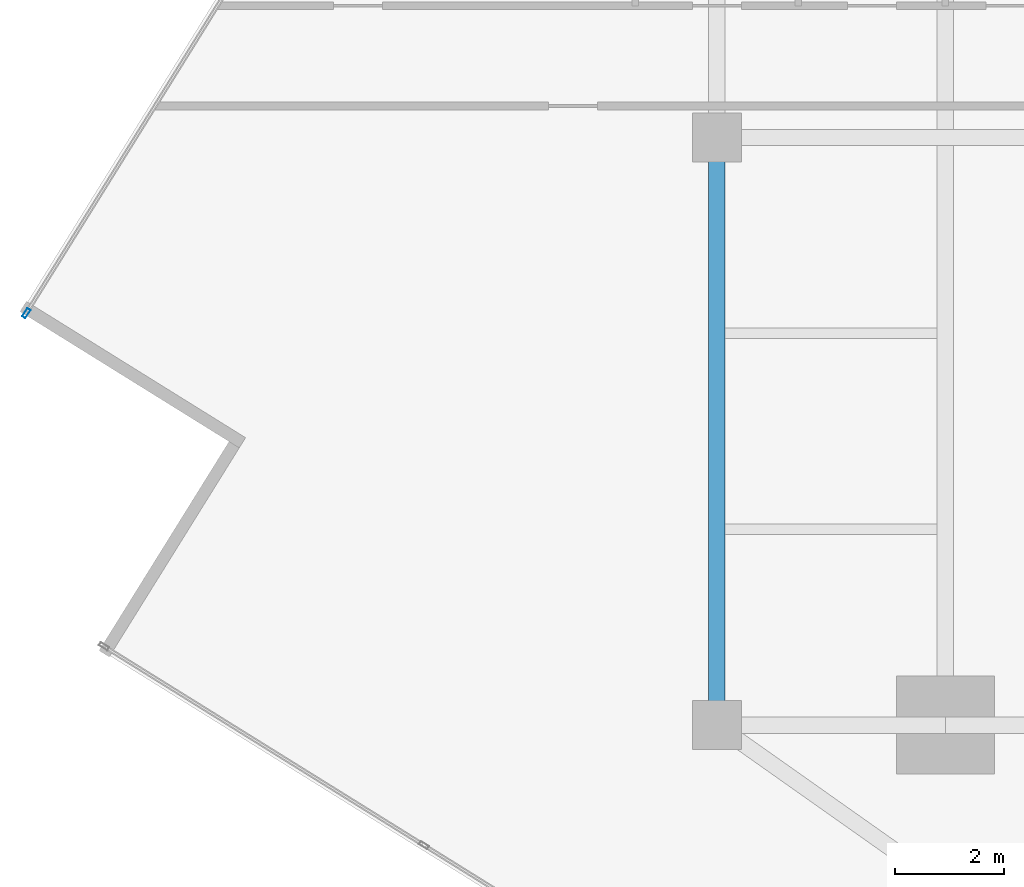
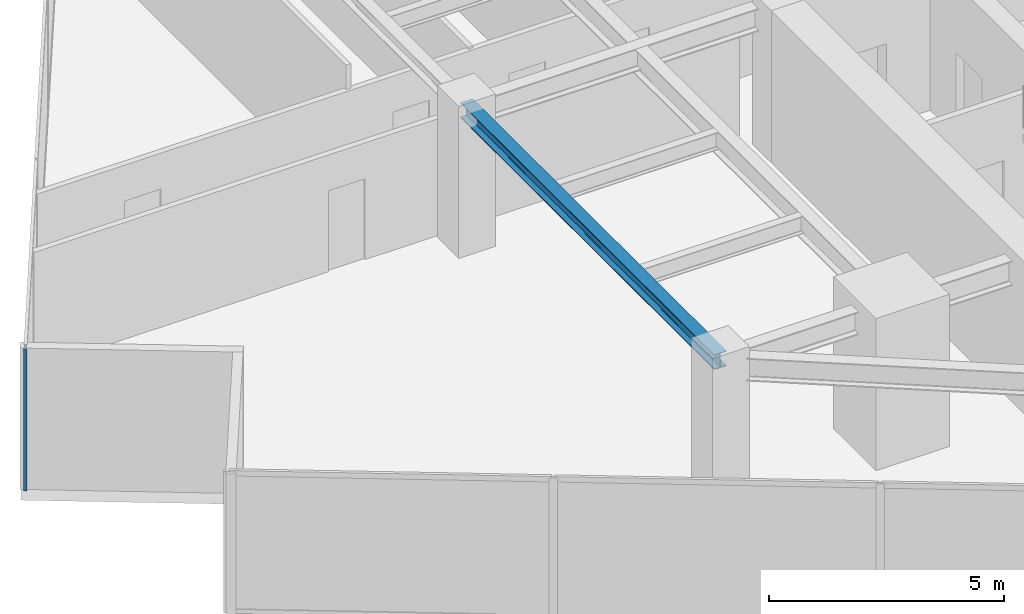
# One storey, part 6 of 25: 1 beam, 1 member, 1 element without a shape of its own.
"""IFC4 building model written with IfcOpenShell, lengths in metres."""

from ifc_helpers import new_model, si_unit, direction, frame, origin, origin_2d, place, context, subcontext, project, spatial, hollow_rectangle, i_section, extrude, source, transform, mapped, material, material_profile, profile_set, type_object, type_shapes, element, aggregate, save


model = new_model("IFC4")

# Units and contexts
model_context = context("Model", 3, precision=1e-05, world=origin(), true_north=direction((0.0, 1.0)))
body_context = subcontext(model_context, "Body", "Model", "MODEL_VIEW")
ifc_project = project(units=[si_unit("LENGTHUNIT", "METRE"), si_unit("AREAUNIT", "SQUARE_METRE"), si_unit("VOLUMEUNIT", "CUBIC_METRE"), si_unit("PLANEANGLEUNIT", "RADIAN"), si_unit("MASSUNIT", "GRAM", prefix="KILO")], contexts=[model_context])

# Site, building, storey
site_placement = place(None, origin())
site = spatial("IfcSite", under=ifc_project, at=site_placement, CompositionType="ELEMENT")
building_placement = place(site_placement, origin())
building = spatial("IfcBuilding", under=site, at=building_placement, Name="Krantzveldt Concourse Tower", CompositionType="ELEMENT")
storey_placement = place(building_placement, frame((0.0, 0.0, 181.75)))
storey = spatial("IfcBuildingStorey", under=building, at=storey_placement, Name="L44", CompositionType="ELEMENT", Elevation=181.75)

# Beam
ifc_material_1 = material(Name="Steel S355JR", Category="steel")
ifc_material_profile_1 = material_profile(ifc_material_1, i_section(OverallWidth=0.300048828125, OverallDepth=0.389892578125, WebThickness=0.010986328125, FlangeThickness=0.01904296875, FilletRadius=0.027099609375, at=origin_2d()), Name="Steel S355JR", Category="steel")
ifc_profile_set_1 = profile_set([ifc_material_profile_1], Name="Steel S355JR - HEA 400")
beam_type = type_object("IfcBeamType", Name="BM-SP-HEA400", PredefinedType="SPANDREL", material=ifc_profile_set_1)
shared_shape_1 = source(origin(), body_context, "Body", "SweptSolid", [
    extrude(i_section(OverallWidth=0.300048828125, OverallDepth=0.389892578125, WebThickness=0.010986328125, FlangeThickness=0.01904296875, FilletRadius=0.027099609375, at=origin_2d()), origin(), (0.0, 0.0, 1.0), 10.800048828125),
])
type_shapes(beam_type, [shared_shape_1])
beam_placement = place(storey_placement, frame((21.0, 15.89990234375, 3.47509765625), z_axis=(0.0, 1.0, 0.0), x_axis=(-1.0, 0.0, 0.0)))
element("IfcBeam", 1, at=beam_placement, inside=storey, type_object=beam_type, Name="L44 Tower Girder SP-R01", PredefinedType="SPANDREL", context=body_context, shape_type="MappedRepresentation", body=[
    mapped(shared_shape_1, transform((0.0, 0.0, 0.0), x_axis=(1.0, 0.0, 0.0), y_axis=(0.0, 1.0, 0.0), z_axis=(0.0, 0.0, 1.0), scale=1.0)),
])

# Curtain wall, member
ifc_material_2 = material(Name="Anodised aluminium 6063-T6", Category="aluminium")
curtain_wall_type = type_object("IfcCurtainWallType", Name="CW3", PredefinedType="USERDEFINED", material=ifc_material_2)
curtain_wall_placement = place(storey_placement, origin())
curtain_wall = element("IfcCurtainWall", 2, at=curtain_wall_placement, inside=storey, type_object=curtain_wall_type, Name="CW-L44-F01", ObjectType="UNITISED CURTAIN WALL", PredefinedType="USERDEFINED")
ifc_material_profile_2 = material_profile(ifc_material_2, hollow_rectangle(XDim=0.070068359375, YDim=0.179931640625, WallThickness=0.0048828125, at=origin_2d()), Name="Anodised aluminium 6063-T6", Category="aluminium")
ifc_profile_set_2 = profile_set([ifc_material_profile_2], Name="Anodised aluminium 6063-T6 - ALU-MULL 180x70x5")
member_type = type_object("IfcMemberType", Name="CW-MUL-180", PredefinedType="MULLION", material=ifc_profile_set_2)
shared_shape_2 = source(origin(), body_context, "Body", "SweptSolid", [
    extrude(hollow_rectangle(XDim=0.070068359375, YDim=0.179931640625, WallThickness=0.0048828125, at=origin_2d()), origin(), (0.0, 0.0, 1.0), 3.669921875),
])
type_shapes(member_type, [shared_shape_2])
member_placement = place(storey_placement, frame((8.30908203125, 23.470703125, 0.0), z_axis=(0.0, 0.0, 1.0), x_axis=(0.84920214961, -0.528067901977, 0.0)))
member = element("IfcMember", 3, at=member_placement, type_object=member_type, Name="CW-Z34 mullion 6", PredefinedType="MULLION", context=body_context, shape_type="MappedRepresentation", body=[
    mapped(shared_shape_2, transform((0.0, 0.0, 0.0), x_axis=(1.0, 0.0, 0.0), y_axis=(0.0, 1.0, 0.0), z_axis=(0.0, 0.0, 1.0), scale=1.0)),
])
aggregate(curtain_wall, [member])

save(model, "model.ifc")
